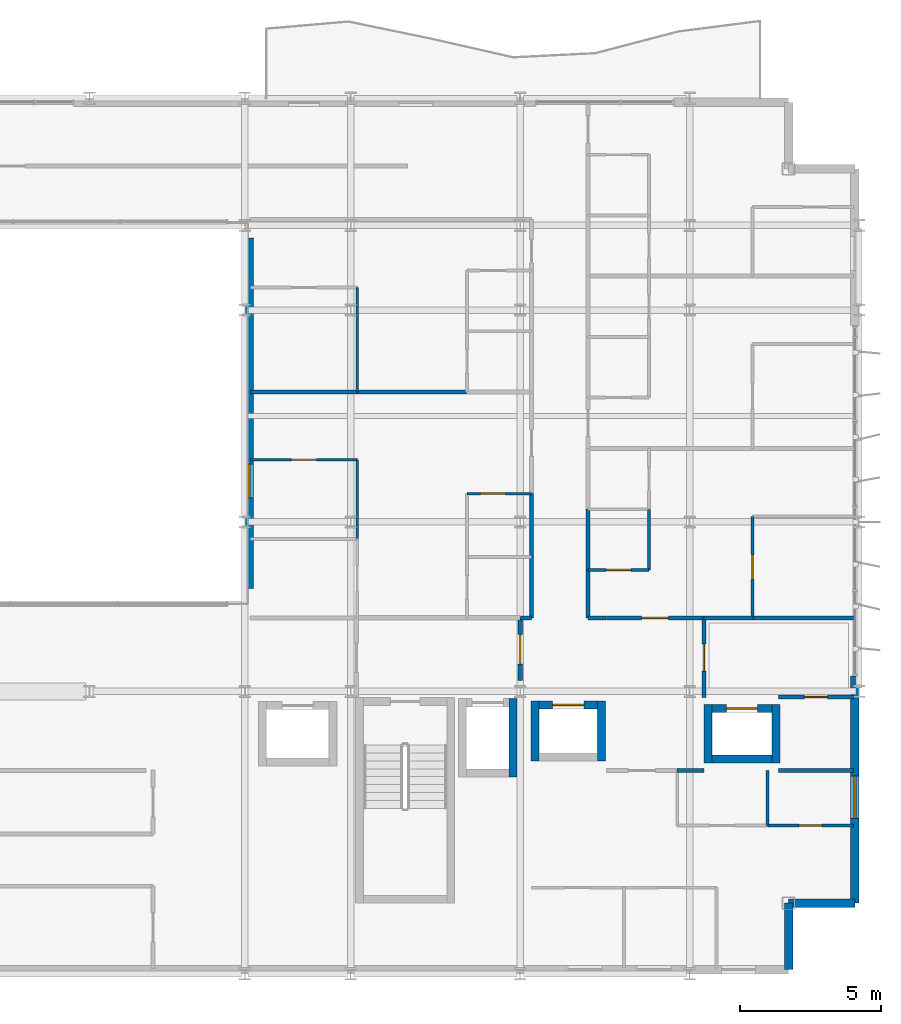
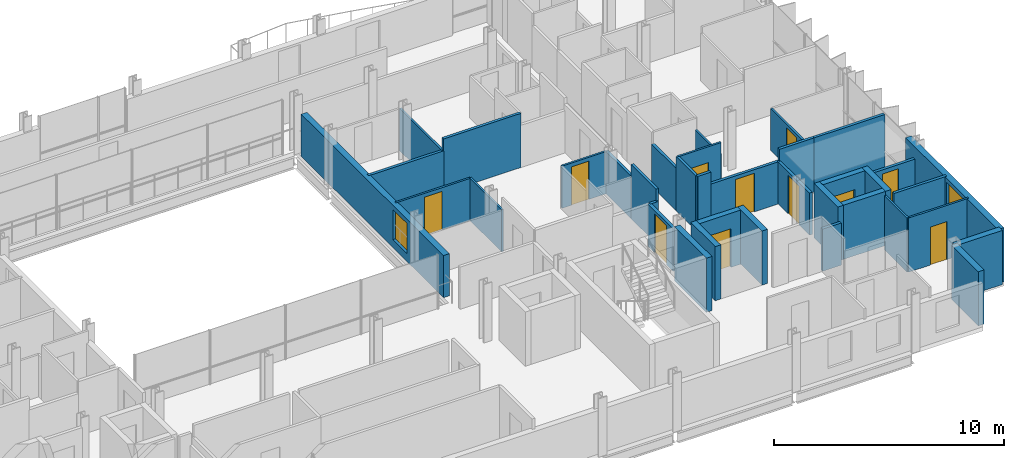
# One storey, part 31 of 38: 37 walls, 11 doors, 2 windows, 13 openings.
"""IFC4 building model written with IfcOpenShell, lengths in metres."""

from ifc_helpers import new_model, si_unit, direction, frame, frame_2d, origin, place, context, subcontext, project, spatial, rectangle, extrude, material, layer, layer_set, type_object, element, fill, save


model = new_model("IFC4")

# Units and contexts
model_context = context("Model", 3, precision=1e-05, world=origin(), true_north=direction((0.0, 1.0)))
body_context = subcontext(model_context, "Body", "Model", "MODEL_VIEW")
ifc_project = project(units=[si_unit("LENGTHUNIT", "METRE"), si_unit("AREAUNIT", "SQUARE_METRE"), si_unit("VOLUMEUNIT", "CUBIC_METRE"), si_unit("PLANEANGLEUNIT", "RADIAN"), si_unit("MASSUNIT", "GRAM", prefix="KILO")], contexts=[model_context])

# Site, building, storey
site_placement = place(None, origin())
site = spatial("IfcSite", under=ifc_project, at=site_placement, CompositionType="ELEMENT")
building_placement = place(site_placement, origin())
building = spatial("IfcBuilding", under=site, at=building_placement, Name="Brevholm Reach", CompositionType="ELEMENT")
storey_placement = place(building_placement, frame((0.0, 0.0, 122.10009765625)))
storey = spatial("IfcBuildingStorey", under=building, at=storey_placement, Name="L36", CompositionType="ELEMENT", Elevation=122.10009765625)

# Walls
ifc_material_1 = material(Name="Concrete C50/60", Category="concrete")
ifc_layer_1 = layer(ifc_material_1, 0.280029296875)
ifc_layer_set_1 = layer_set([ifc_layer_1], Name="Concrete C50/60")
wall_type_1 = type_object("IfcWallType", Name="WAL-COR-280", PredefinedType="SHEAR", material=ifc_layer_set_1)
wall_1_placement = place(storey_placement, frame((47.75, 6.9599609375, 0.0), z_axis=(0.0, 0.0, 1.0), x_axis=(0.0, 1.0, 0.0)))
element("IfcWall", 1, at=wall_1_placement, inside=storey, type_object=wall_type_1, Name="L36 Lift FFL-2 Shaft Wall E", PredefinedType="SHEAR", context=body_context, shape_type="SweptSolid", body=[
    extrude(rectangle(XDim=2.780029296875, YDim=0.280029296875, at=frame_2d((1.39013671875, 0.0))), origin(), (0.0, 0.0, 1.0), 2.8798828125),
])
for number, where, z_axis, x_axis, name in (
    (2, (48.52490234375, 7.534912109375, 0.0), (0.0, 0.0, 1.0), (0.0, 1.0, 0.0), "L36 Lift PL-L1 Shaft Wall W"),
    (3, (50.875, 7.534912109375, 0.0), (0.0, 0.0, 1.0), (0.0, 1.0, 0.0), "L36 Lift PL-L1 Shaft Wall E"),
):
    element("IfcWall", number, at=place(storey_placement, frame(where, z_axis=z_axis, x_axis=x_axis)), inside=storey, type_object=wall_type_1, Name=name, PredefinedType="SHEAR", context=body_context, shape_type="SweptSolid", body=[
        extrude(rectangle(XDim=2.130126953125, YDim=0.280029296875, at=frame_2d((1.06494140625, 0.0))), origin(), (0.0, 0.0, 1.0), 2.8798828125),
    ])

# Wall, opening, door
wall_2_placement = place(storey_placement, frame((48.6650390625, 9.52490234375, 0.0), z_axis=(0.0, 0.0, 1.0), x_axis=(1.0, 0.0, 0.0)))
wall_2 = element("IfcWall", 4, at=wall_2_placement, inside=storey, type_object=wall_type_1, Name="L36 Lift PL-L1 Shaft Wall N", PredefinedType="SHEAR", context=body_context, shape_type="SweptSolid", body=[
    extrude(rectangle(XDim=2.070068359375, YDim=0.280029296875, at=frame_2d((1.03515625, 0.0))), origin(), (0.0, 0.0, 1.0), 2.8798828125),
])
opening_1_placement = place(wall_2_placement, frame((0.485107421875, 0.0, 0.0)))
opening_1 = element("IfcOpeningElement", 5, at=opening_1_placement, cuts=wall_2, Name="Opening LD-PL-L1", PredefinedType="OPENING", context=body_context, shape_type="SweptSolid", body=[
    extrude(rectangle(XDim=1.10009765625, YDim=2.06005859375, at=frame_2d((0.550048828125, 1.030029296875))), frame((0.0, 0.14990234375, 0.0), z_axis=(0.0, -1.0, 0.0), x_axis=(1.0, 0.0, 0.0)), (0.0, 0.0, 1.0), 0.300048828125),
])
ifc_material_2 = material(Name="Brushed Stainless Steel Fire-Rated Sliding Lift Door", Category="steel")
door_type_1 = type_object("IfcDoorType", Name="DOR-LFT-1100", OperationType="NOTDEFINED", PredefinedType="DOOR", material=ifc_material_2)
door_1_placement = place(opening_1_placement, origin())
door_1 = element("IfcDoor", 6, at=door_1_placement, inside=storey, type_object=door_type_1, Name="L36 Lift PL-L1 Sliding Landing Door", OperationType="SLIDING_TO_RIGHT", OverallHeight=2.06005859375, OverallWidth=1.10009765625, PredefinedType="DOOR", context=body_context, shape_type="SweptSolid", body=[
    extrude(rectangle(XDim=1.10009765625, YDim=2.06005859375, at=frame_2d((0.550048828125, 1.030029296875))), frame((0.0, 0.02490234375, 0.0), z_axis=(0.0, -1.0, 0.0), x_axis=(1.0, 0.0, 0.0)), (0.0, 0.0, 1.0), 0.050048828125),
])
fill(opening_1, door_1)

# Walls
for number, where, z_axis, x_axis, name in (
    (7, (54.64990234375, 7.4599609375, 0.0), (0.0, 0.0, 1.0), (0.0, 1.0, 0.0), "L36 Lift PL-L2 Shaft Wall W"),
    (8, (57.050048828125, 7.4599609375, 0.0), (0.0, 0.0, 1.0), (0.0, 1.0, 0.0), "L36 Lift PL-L2 Shaft Wall E"),
):
    element("IfcWall", number, at=place(storey_placement, frame(where, z_axis=z_axis, x_axis=x_axis)), inside=storey, type_object=wall_type_1, Name=name, PredefinedType="SHEAR", context=body_context, shape_type="SweptSolid", body=[
        extrude(rectangle(XDim=2.080078125, YDim=0.280029296875, at=frame_2d((1.0400390625, 0.0))), origin(), (0.0, 0.0, 1.0), 2.8798828125),
    ])
wall_3_placement = place(storey_placement, frame((54.7900390625, 7.60009765625, 0.0), z_axis=(0.0, 0.0, 1.0), x_axis=(1.0, 0.0, 0.0)))
element("IfcWall", 9, at=wall_3_placement, inside=storey, type_object=wall_type_1, Name="L36 Lift PL-L2 Shaft Wall S", PredefinedType="SHEAR", context=body_context, shape_type="SweptSolid", body=[
    extrude(rectangle(XDim=2.119873046875, YDim=0.280029296875, at=frame_2d((1.06005859375, 0.0))), origin(), (0.0, 0.0, 1.0), 2.8798828125),
])

# Wall, opening, door
wall_4_placement = place(storey_placement, frame((54.7900390625, 9.39990234375, 0.0), z_axis=(0.0, 0.0, 1.0), x_axis=(1.0, 0.0, 0.0)))
wall_4 = element("IfcWall", 10, at=wall_4_placement, inside=storey, type_object=wall_type_1, Name="L36 Lift PL-L2 Shaft Wall N", PredefinedType="SHEAR", context=body_context, shape_type="SweptSolid", body=[
    extrude(rectangle(XDim=2.119873046875, YDim=0.280029296875, at=frame_2d((1.06005859375, 0.0))), origin(), (0.0, 0.0, 1.0), 2.8798828125),
])
opening_2_placement = place(wall_4_placement, frame((0.510009765625, 0.0, 0.0)))
opening_2 = element("IfcOpeningElement", 11, at=opening_2_placement, cuts=wall_4, Name="Opening LD-PL-L2", PredefinedType="OPENING", context=body_context, shape_type="SweptSolid", body=[
    extrude(rectangle(XDim=1.10009765625, YDim=2.06005859375, at=frame_2d((0.550048828125, 1.030029296875))), frame((0.0, 0.14990234375, 0.0), z_axis=(0.0, -1.0, 0.0), x_axis=(1.0, 0.0, 0.0)), (0.0, 0.0, 1.0), 0.300048828125),
])
door_2_placement = place(opening_2_placement, origin())
door_2 = element("IfcDoor", 12, at=door_2_placement, inside=storey, type_object=door_type_1, Name="L36 Lift PL-L2 Sliding Landing Door", OperationType="SLIDING_TO_LEFT", OverallHeight=2.06005859375, OverallWidth=1.10009765625, PredefinedType="DOOR", context=body_context, shape_type="SweptSolid", body=[
    extrude(rectangle(XDim=1.10009765625, YDim=2.06005859375, at=frame_2d((0.550048828125, 1.030029296875))), frame((0.0, 0.02490234375, 0.0), z_axis=(0.0, -1.0, 0.0), x_axis=(1.0, 0.0, 0.0)), (0.0, 0.0, 1.0), 0.050048828125),
])
fill(opening_2, door_2)

# Walls
ifc_material_3 = material(Name="Concrete C40/50", Category="concrete")
ifc_layer_2 = layer(ifc_material_3, 0.300048828125)
ifc_layer_set_2 = layer_set([ifc_layer_2], Name="Concrete C40/50")
wall_type_2 = type_object("IfcWallType", Name="WAL-EXT-300", PredefinedType="STANDARD", material=ifc_layer_set_2)
for number, where, z_axis, x_axis, name in (
    (13, (57.5, 0.14990234375, 0.0), (0.0, 0.0, 1.0), (0.0, 1.0, 0.0), "L36 Facade Wall WAL-L36-CSE1"),
    (14, (57.5, 2.5, 0.0), (0.0, 0.0, 1.0), (1.0, 0.0, 0.0), "L36 Facade Wall WAL-L36-CSE2"),
):
    element("IfcWall", number, at=place(storey_placement, frame(where, z_axis=z_axis, x_axis=x_axis)), inside=storey, type_object=wall_type_2, Name=name, PredefinedType="STANDARD", context=body_context, shape_type="SweptSolid", body=[
        extrude(rectangle(XDim=2.35009765625, YDim=0.300048828125, at=frame_2d((1.175048828125, 0.0))), origin(), (0.0, 0.0, 1.0), 2.8798828125),
    ])

# Wall, opening, window
wall_5_placement = place(storey_placement, frame((59.85009765625, 2.5, 0.0), z_axis=(0.0, 0.0, 1.0), x_axis=(0.0, 1.0, 0.0)))
wall_5 = element("IfcWall", 15, at=wall_5_placement, inside=storey, type_object=wall_type_2, Name="L36 Facade Wall WAL-L36-E-S", PredefinedType="STANDARD", context=body_context, shape_type="SweptSolid", body=[
    extrude(rectangle(XDim=8.050048828125, YDim=0.300048828125, at=frame_2d((4.02490234375, 0.0))), origin(), (0.0, 0.0, 1.0), 2.8798828125),
])
opening_3_placement = place(wall_5_placement, frame((3.0, 0.0, 0.860107421875)))
opening_3 = element("IfcOpeningElement", 16, at=opening_3_placement, cuts=wall_5, Name="Opening WN-05", PredefinedType="OPENING", context=body_context, shape_type="SweptSolid", body=[
    extrude(rectangle(XDim=1.5, YDim=1.800048828125, at=frame_2d((0.75, 0.89990234375))), frame((0.0, 0.159912109375, 0.0), z_axis=(0.0, -1.0, 0.0), x_axis=(1.0, 0.0, 0.0)), (0.0, 0.0, 1.0), 0.320068359375),
])
ifc_material_4 = material(Name="Dark Anodised Aluminium and Solar-Control IGU Glass", Category="aluminium")
window_type_1 = type_object("IfcWindowType", Name="WIN-RES-1500", PartitioningType="SINGLE_PANEL", PredefinedType="WINDOW", material=ifc_material_4)
window_1_placement = place(opening_3_placement, origin())
window_1 = element("IfcWindow", 17, at=window_1_placement, inside=storey, type_object=window_type_1, Name="L36 Window WIN-L36-ES-1", OverallHeight=1.800048828125, OverallWidth=1.5, PartitioningType="SINGLE_PANEL", PredefinedType="WINDOW", context=body_context, shape_type="SweptSolid", body=[
    extrude(rectangle(XDim=1.5, YDim=1.800048828125, at=frame_2d((0.75, 0.89990234375))), frame((0.0, 0.030029296875, 0.0), z_axis=(0.0, -1.0, 0.0), x_axis=(1.0, 0.0, 0.0)), (0.0, 0.0, 1.0), 0.06005859375),
])
fill(opening_3, window_1)

wall_6_placement = place(storey_placement, frame((38.39990234375, 13.64990234375, 0.0), z_axis=(0.0, 0.0, 1.0), x_axis=(0.0, 1.0, 0.0)))
wall_6 = element("IfcWall", 18, at=wall_6_placement, inside=storey, type_object=wall_type_2, Name="L36 Facade Wall WAL-L36-AT-E", PredefinedType="STANDARD", context=body_context, shape_type="SweptSolid", body=[
    extrude(rectangle(XDim=12.400146484375, YDim=0.300048828125, at=frame_2d((6.2001953125, 0.0))), origin(), (0.0, 0.0, 1.0), 2.24267578125),
])
opening_4_placement = place(wall_6_placement, frame((3.199951171875, 0.0, 0.423095703125)))
opening_4 = element("IfcOpeningElement", 19, at=opening_4_placement, cuts=wall_6, Name="Opening WN-08", PredefinedType="OPENING", context=body_context, shape_type="SweptSolid", body=[
    extrude(rectangle(XDim=1.199951171875, YDim=1.60009765625, at=frame_2d((0.60009765625, 0.800048828125))), frame((0.0, 0.159912109375, 0.0), z_axis=(0.0, -1.0, 0.0), x_axis=(1.0, 0.0, 0.0)), (0.0, 0.0, 1.0), 0.320068359375),
])
ifc_material_5 = material(Name="Dark Anodised Aluminium and Solar-Control IGU Glass", Category="aluminium")
window_type_2 = type_object("IfcWindowType", Name="WIN-RES-1200", PartitioningType="SINGLE_PANEL", PredefinedType="WINDOW", material=ifc_material_5)
window_2_placement = place(opening_4_placement, origin())
window_2 = element("IfcWindow", 20, at=window_2_placement, inside=storey, type_object=window_type_2, Name="L36 Window WIN-L36-AT-E1", OverallHeight=1.60009765625, OverallWidth=1.199951171875, PartitioningType="SINGLE_PANEL", PredefinedType="WINDOW", context=body_context, shape_type="SweptSolid", body=[
    extrude(rectangle(XDim=1.199951171875, YDim=1.60009765625, at=frame_2d((0.60009765625, 0.800048828125))), frame((0.0, 0.030029296875, 0.0), z_axis=(0.0, -1.0, 0.0), x_axis=(1.0, 0.0, 0.0)), (0.0, 0.0, 1.0), 0.06005859375),
])
fill(opening_4, window_2)

# Wall
ifc_material_6 = material(Name="Moisture-Resistant Acoustic Gypsum Stud Partition 100 mm", Category="gypsum")
ifc_layer_3 = layer(ifc_material_6, 0.10009765625)
ifc_layer_set_3 = layer_set([ifc_layer_3], Name="Moisture-Resistant Acoustic Gypsum Stud Partition 100 mm")
wall_type_3 = type_object("IfcWallType", Name="WAL-PRT-100", PredefinedType="PARTITIONING", material=ifc_layer_set_3)
wall_7_placement = place(storey_placement, frame((56.75, 5.25, 0.0), z_axis=(0.0, 0.0, 1.0), x_axis=(0.0, 1.0, 0.0)))
element("IfcWall", 21, at=wall_7_placement, inside=storey, type_object=wall_type_3, Name="L36 Internal Partition 080", PredefinedType="PARTITIONING", context=body_context, shape_type="SweptSolid", body=[
    extrude(rectangle(XDim=1.949951171875, YDim=0.10009765625, at=frame_2d((0.97509765625, 0.0))), origin(), (0.0, 0.0, 1.0), 2.8798828125),
])

# Wall, opening, door
wall_8_placement = place(storey_placement, frame((56.75, 5.25, 0.0), z_axis=(0.0, 0.0, 1.0), x_axis=(1.0, 0.0, 0.0)))
wall_8 = element("IfcWall", 22, at=wall_8_placement, inside=storey, type_object=wall_type_3, Name="L36 Internal Partition 081", PredefinedType="PARTITIONING", context=body_context, shape_type="SweptSolid", body=[
    extrude(rectangle(XDim=3.050048828125, YDim=0.10009765625, at=frame_2d((1.52490234375, 0.0))), origin(), (0.0, 0.0, 1.0), 2.8798828125),
])
opening_5_placement = place(wall_8_placement, frame((1.114990234375, 0.0, 0.0)))
opening_5 = element("IfcOpeningElement", 23, at=opening_5_placement, cuts=wall_8, Name="Opening ID-03", PredefinedType="OPENING", context=body_context, shape_type="SweptSolid", body=[
    extrude(rectangle(XDim=0.820068359375, YDim=2.02001953125, at=frame_2d((0.41015625, 1.010009765625))), frame((0.0, 0.06005859375, 0.0), z_axis=(0.0, -1.0, 0.0), x_axis=(1.0, 0.0, 0.0)), (0.0, 0.0, 1.0), 0.1201171875),
])
ifc_material_7 = material(Name="Moisture-Resistant Painted Timber Internal Bathroom Door", Category="wood")
door_type_2 = type_object("IfcDoorType", Name="DOR-BATH-820", OperationType="NOTDEFINED", PredefinedType="DOOR", material=ifc_material_7)
door_3_placement = place(opening_5_placement, origin())
door_3 = element("IfcDoor", 24, at=door_3_placement, inside=storey, type_object=door_type_2, Name="L36 Internal Door 029", OperationType="SINGLE_SWING_LEFT", OverallHeight=2.02001953125, OverallWidth=0.820068359375, PredefinedType="DOOR", context=body_context, shape_type="SweptSolid", body=[
    extrude(rectangle(XDim=0.820068359375, YDim=2.02001953125, at=frame_2d((0.41015625, 1.010009765625))), frame((0.0, 0.02490234375, 0.0), z_axis=(0.0, -1.0, 0.0), x_axis=(1.0, 0.0, 0.0)), (0.0, 0.0, 1.0), 0.050048828125),
])
fill(opening_5, door_3)

wall_9_placement = place(storey_placement, frame((46.112060546875, 17.0, 0.0), z_axis=(0.0, 0.0, 1.0), x_axis=(1.0, 0.0, 0.0)))
wall_9 = element("IfcWall", 25, at=wall_9_placement, inside=storey, type_object=wall_type_3, Name="L36 Internal Partition 122", PredefinedType="PARTITIONING", context=body_context, shape_type="SweptSolid", body=[
    extrude(rectangle(XDim=2.283935546875, YDim=0.10009765625, at=frame_2d((1.14208984375, 0.0))), origin(), (0.0, 0.0, 1.0), 2.24267578125),
])
opening_6_placement = place(wall_9_placement, frame((0.48193359375, 0.0, 0.0)))
opening_6 = element("IfcOpeningElement", 26, at=opening_6_placement, cuts=wall_9, Name="Opening ID-01", PredefinedType="OPENING", context=body_context, shape_type="SweptSolid", body=[
    extrude(rectangle(XDim=0.8798828125, YDim=2.0400390625, at=frame_2d((0.43994140625, 1.02001953125))), frame((0.0, 0.06005859375, 0.0), z_axis=(0.0, -1.0, 0.0), x_axis=(1.0, 0.0, 0.0)), (0.0, 0.0, 1.0), 0.1201171875),
])
ifc_material_8 = material(Name="Lacquered Ash Solid-Core Acoustic Internal Door", Category="timber")
door_type_3 = type_object("IfcDoorType", Name="DOR-INT-880", OperationType="NOTDEFINED", PredefinedType="DOOR", material=ifc_material_8)
door_4_placement = place(opening_6_placement, origin())
door_4 = element("IfcDoor", 27, at=door_4_placement, inside=storey, type_object=door_type_3, Name="L36 Internal Door 047", OperationType="SINGLE_SWING_LEFT", OverallHeight=2.0400390625, OverallWidth=0.8798828125, PredefinedType="DOOR", context=body_context, shape_type="SweptSolid", body=[
    extrude(rectangle(XDim=0.8798828125, YDim=2.0400390625, at=frame_2d((0.43994140625, 1.02001953125))), frame((0.0, 0.02490234375, 0.0), z_axis=(0.0, -1.0, 0.0), x_axis=(1.0, 0.0, 0.0)), (0.0, 0.0, 1.0), 0.050048828125),
])
fill(opening_6, door_4)

# Wall
wall_10_placement = place(storey_placement, frame((42.23095703125, 15.404052734375, 0.0), z_axis=(0.0, 0.0, 1.0), x_axis=(0.0, 1.0, 0.0)))
element("IfcWall", 28, at=wall_10_placement, inside=storey, type_object=wall_type_3, Name="L36 Internal Partition 126", PredefinedType="PARTITIONING", context=body_context, shape_type="SweptSolid", body=[
    extrude(rectangle(XDim=2.7958984375, YDim=0.10009765625, at=frame_2d((1.39794921875, 0.0))), origin(), (0.0, 0.0, 1.0), 2.24267578125),
])

# Wall, opening, door
wall_11_placement = place(storey_placement, frame((38.449951171875, 18.199951171875, 0.0), z_axis=(0.0, 0.0, 1.0), x_axis=(1.0, 0.0, 0.0)))
wall_11 = element("IfcWall", 29, at=wall_11_placement, inside=storey, type_object=wall_type_3, Name="L36 Internal Partition 127", PredefinedType="PARTITIONING", context=body_context, shape_type="SweptSolid", body=[
    extrude(rectangle(XDim=3.781005859375, YDim=0.10009765625, at=frame_2d((1.890625, 0.0))), origin(), (0.0, 0.0, 1.0), 2.24267578125),
])
opening_7_placement = place(wall_11_placement, frame((1.450439453125, 0.0, 0.0)))
opening_7 = element("IfcOpeningElement", 30, at=opening_7_placement, cuts=wall_11, Name="Opening ID-01", PredefinedType="OPENING", context=body_context, shape_type="SweptSolid", body=[
    extrude(rectangle(XDim=0.8798828125, YDim=2.0400390625, at=frame_2d((0.43994140625, 1.02001953125))), frame((0.0, 0.06005859375, 0.0), z_axis=(0.0, -1.0, 0.0), x_axis=(1.0, 0.0, 0.0)), (0.0, 0.0, 1.0), 0.1201171875),
])
door_5_placement = place(opening_7_placement, origin())
door_5 = element("IfcDoor", 31, at=door_5_placement, inside=storey, type_object=door_type_3, Name="L36 Internal Door 049", OperationType="SINGLE_SWING_LEFT", OverallHeight=2.0400390625, OverallWidth=0.8798828125, PredefinedType="DOOR", context=body_context, shape_type="SweptSolid", body=[
    extrude(rectangle(XDim=0.8798828125, YDim=2.0400390625, at=frame_2d((0.43994140625, 1.02001953125))), frame((0.0, 0.02490234375, 0.0), z_axis=(0.0, -1.0, 0.0), x_axis=(1.0, 0.0, 0.0)), (0.0, 0.0, 1.0), 0.050048828125),
])
fill(opening_7, door_5)

# Wall
wall_12_placement = place(storey_placement, frame((42.23095703125, 20.60400390625, 0.0), z_axis=(0.0, 0.0, 1.0), x_axis=(0.0, 1.0, 0.0)))
element("IfcWall", 32, at=wall_12_placement, inside=storey, type_object=wall_type_3, Name="L36 Internal Partition 135", PredefinedType="PARTITIONING", context=body_context, shape_type="SweptSolid", body=[
    extrude(rectangle(XDim=3.696044921875, YDim=0.10009765625, at=frame_2d((1.84814453125, 0.0))), origin(), (0.0, 0.0, 1.0), 2.24267578125),
])

# Wall, opening, door
wall_13_placement = place(storey_placement, frame((50.404052734375, 14.300048828125, 0.0), z_axis=(0.0, 0.0, 1.0), x_axis=(1.0, 0.0, 0.0)))
wall_13 = element("IfcWall", 33, at=wall_13_placement, inside=storey, type_object=wall_type_3, Name="L36 Internal Partition 140", PredefinedType="PARTITIONING", context=body_context, shape_type="SweptSolid", body=[
    extrude(rectangle(XDim=2.157958984375, YDim=0.10009765625, at=frame_2d((1.0791015625, 0.0))), origin(), (0.0, 0.0, 1.0), 2.8798828125),
])
opening_8_placement = place(wall_13_placement, frame((0.638916015625, 0.0, 0.0)))
opening_8 = element("IfcOpeningElement", 34, at=opening_8_placement, cuts=wall_13, Name="Opening ID-01", PredefinedType="OPENING", context=body_context, shape_type="SweptSolid", body=[
    extrude(rectangle(XDim=0.8798828125, YDim=2.0400390625, at=frame_2d((0.43994140625, 1.02001953125))), frame((0.0, 0.06005859375, 0.0), z_axis=(0.0, -1.0, 0.0), x_axis=(1.0, 0.0, 0.0)), (0.0, 0.0, 1.0), 0.1201171875),
])
door_6_placement = place(opening_8_placement, origin())
door_6 = element("IfcDoor", 35, at=door_6_placement, inside=storey, type_object=door_type_3, Name="L36 Internal Door 054", OperationType="SINGLE_SWING_RIGHT", OverallHeight=2.0400390625, OverallWidth=0.8798828125, PredefinedType="DOOR", context=body_context, shape_type="SweptSolid", body=[
    extrude(rectangle(XDim=0.8798828125, YDim=2.0400390625, at=frame_2d((0.43994140625, 1.02001953125))), frame((0.0, 0.02490234375, 0.0), z_axis=(0.0, -1.0, 0.0), x_axis=(1.0, 0.0, 0.0)), (0.0, 0.0, 1.0), 0.050048828125),
])
fill(opening_8, door_6)

# Wall
wall_14_placement = place(storey_placement, frame((52.56201171875, 14.300048828125, 0.0), z_axis=(0.0, 0.0, 1.0), x_axis=(0.0, 1.0, 0.0)))
element("IfcWall", 36, at=wall_14_placement, inside=storey, type_object=wall_type_3, Name="L36 Internal Partition 141", PredefinedType="PARTITIONING", context=body_context, shape_type="SweptSolid", body=[
    extrude(rectangle(XDim=2.14599609375, YDim=0.10009765625, at=frame_2d((1.072998046875, 0.0))), origin(), (0.0, 0.0, 1.0), 2.24267578125),
])

# Wall, opening, door
wall_15_placement = place(storey_placement, frame((56.22802734375, 12.60400390625, 0.0), z_axis=(0.0, 0.0, 1.0), x_axis=(0.0, 1.0, 0.0)))
wall_15 = element("IfcWall", 37, at=wall_15_placement, inside=storey, type_object=wall_type_3, Name="L36 Internal Partition 143", PredefinedType="PARTITIONING", context=body_context, shape_type="SweptSolid", body=[
    extrude(rectangle(XDim=3.595947265625, YDim=0.10009765625, at=frame_2d((1.7978515625, 0.0))), origin(), (0.0, 0.0, 1.0), 2.24267578125),
])
opening_9_placement = place(wall_15_placement, frame((1.35791015625, 0.0, 0.0)))
opening_9 = element("IfcOpeningElement", 38, at=opening_9_placement, cuts=wall_15, Name="Opening ID-01", PredefinedType="OPENING", context=body_context, shape_type="SweptSolid", body=[
    extrude(rectangle(XDim=0.8798828125, YDim=2.0400390625, at=frame_2d((0.43994140625, 1.02001953125))), frame((0.0, 0.06005859375, 0.0), z_axis=(0.0, -1.0, 0.0), x_axis=(1.0, 0.0, 0.0)), (0.0, 0.0, 1.0), 0.1201171875),
])
door_7_placement = place(opening_9_placement, origin())
door_7 = element("IfcDoor", 39, at=door_7_placement, inside=storey, type_object=door_type_3, Name="L36 Internal Door 055", OperationType="SINGLE_SWING_LEFT", OverallHeight=2.0400390625, OverallWidth=0.8798828125, PredefinedType="DOOR", context=body_context, shape_type="SweptSolid", body=[
    extrude(rectangle(XDim=0.8798828125, YDim=2.0400390625, at=frame_2d((0.43994140625, 1.02001953125))), frame((0.0, 0.02490234375, 0.0), z_axis=(0.0, -1.0, 0.0), x_axis=(1.0, 0.0, 0.0)), (0.0, 0.0, 1.0), 0.050048828125),
])
fill(opening_9, door_7)

ifc_material_9 = material(Name="Twin-Stud Acoustic Fire-Rated Gypsum Partition 140 mm", Category="gypsum")
ifc_layer_4 = layer(ifc_material_9, 0.139892578125)
ifc_layer_set_4 = layer_set([ifc_layer_4], Name="Twin-Stud Acoustic Fire-Rated Gypsum Partition 140 mm")
wall_type_4 = type_object("IfcWallType", Name="WAL-PRT-140", PredefinedType="PARTITIONING", material=ifc_layer_set_4)
wall_16_placement = place(storey_placement, frame((54.5, 9.788818359375, 0.0), z_axis=(0.0, 0.0, 1.0), x_axis=(0.0, 1.0, 0.0)))
wall_16 = element("IfcWall", 40, at=wall_16_placement, inside=storey, type_object=wall_type_4, Name="L36 Internal Partition 013", PredefinedType="PARTITIONING", context=body_context, shape_type="SweptSolid", body=[
    extrude(rectangle(XDim=2.811279296875, YDim=0.139892578125, at=frame_2d((1.40576171875, 0.0))), origin(), (0.0, 0.0, 1.0), 2.24267578125),
])
opening_10_placement = place(wall_16_placement, frame((0.9306640625, 0.0, 0.0)))
opening_10 = element("IfcOpeningElement", 41, at=opening_10_placement, cuts=wall_16, Name="Opening ID-30", PredefinedType="OPENING", context=body_context, shape_type="SweptSolid", body=[
    extrude(rectangle(XDim=0.949951171875, YDim=2.050048828125, at=frame_2d((0.47509765625, 1.02490234375))), frame((0.0, 0.079833984375, 0.0), z_axis=(0.0, -1.0, 0.0), x_axis=(1.0, 0.0, 0.0)), (0.0, 0.0, 1.0), 0.159912109375),
])
ifc_material_10 = material(Name="European Oak Veneered Solid-Core Fire Entrance Door", Category="timber")
door_type_4 = type_object("IfcDoorType", Name="DOR-FLT-FD30S", OperationType="NOTDEFINED", PredefinedType="DOOR", material=ifc_material_10)
door_8_placement = place(opening_10_placement, origin())
door_8 = element("IfcDoor", 42, at=door_8_placement, inside=storey, type_object=door_type_4, Name="L36 Internal Door 008", OperationType="SINGLE_SWING_RIGHT", OverallHeight=2.050048828125, OverallWidth=0.949951171875, PredefinedType="DOOR", context=body_context, shape_type="SweptSolid", body=[
    extrude(rectangle(XDim=0.949951171875, YDim=2.050048828125, at=frame_2d((0.47509765625, 1.02490234375))), frame((0.0, 0.02490234375, 0.0), z_axis=(0.0, -1.0, 0.0), x_axis=(1.0, 0.0, 0.0)), (0.0, 0.0, 1.0), 0.050048828125),
])
fill(opening_10, door_8)

# Wall
wall_17_placement = place(storey_placement, frame((53.546630859375, 7.199951171875, 0.0), z_axis=(0.0, 0.0, 1.0), x_axis=(1.0, 0.0, 0.0)))
element("IfcWall", 43, at=wall_17_placement, inside=storey, type_object=wall_type_4, Name="L36 Internal Partition 014", PredefinedType="PARTITIONING", context=body_context, shape_type="SweptSolid", body=[
    extrude(rectangle(XDim=0.953369140625, YDim=0.139892578125, at=frame_2d((0.4765625, 0.0))), origin(), (0.0, 0.0, 1.0), 2.24267578125),
])

# Wall, opening, door
wall_18_placement = place(storey_placement, frame((51.050048828125, 12.60009765625, 0.0), z_axis=(0.0, 0.0, 1.0), x_axis=(1.0, 0.0, 0.0)))
wall_18 = element("IfcWall", 44, at=wall_18_placement, inside=storey, type_object=wall_type_4, Name="L36 Internal Partition 016", PredefinedType="PARTITIONING", context=body_context, shape_type="SweptSolid", body=[
    extrude(rectangle(XDim=3.449951171875, YDim=0.139892578125, at=frame_2d((1.72509765625, 0.0))), origin(), (0.0, 0.0, 1.0), 2.24267578125),
])
opening_11_placement = place(wall_18_placement, frame((1.25, 0.0, 0.0)))
opening_11 = element("IfcOpeningElement", 45, at=opening_11_placement, cuts=wall_18, Name="Opening ID-30", PredefinedType="OPENING", context=body_context, shape_type="SweptSolid", body=[
    extrude(rectangle(XDim=0.949951171875, YDim=2.050048828125, at=frame_2d((0.47509765625, 1.02490234375))), frame((0.0, 0.079833984375, 0.0), z_axis=(0.0, -1.0, 0.0), x_axis=(1.0, 0.0, 0.0)), (0.0, 0.0, 1.0), 0.159912109375),
])
door_9_placement = place(opening_11_placement, origin())
door_9 = element("IfcDoor", 46, at=door_9_placement, inside=storey, type_object=door_type_4, Name="L36 Internal Door 010", OperationType="SINGLE_SWING_RIGHT", OverallHeight=2.050048828125, OverallWidth=0.949951171875, PredefinedType="DOOR", context=body_context, shape_type="SweptSolid", body=[
    extrude(rectangle(XDim=0.949951171875, YDim=2.050048828125, at=frame_2d((0.47509765625, 1.02490234375))), frame((0.0, 0.02490234375, 0.0), z_axis=(0.0, -1.0, 0.0), x_axis=(1.0, 0.0, 0.0)), (0.0, 0.0, 1.0), 0.050048828125),
])
fill(opening_11, door_9)

# Walls
wall_19_placement = place(storey_placement, frame((48.00390625, 12.60009765625, 0.0), z_axis=(0.0, 0.0, 1.0), x_axis=(1.0, 0.0, 0.0)))
element("IfcWall", 47, at=wall_19_placement, inside=storey, type_object=wall_type_4, Name="L36 Internal Partition 034", PredefinedType="PARTITIONING", context=body_context, shape_type="SweptSolid", body=[
    extrude(rectangle(XDim=0.4033203125, YDim=0.139892578125, at=frame_2d((0.20166015625, 0.0))), origin(), (0.0, 0.0, 1.0), 2.24267578125),
])
wall_20_placement = place(storey_placement, frame((50.392578125, 12.60009765625, 0.0), z_axis=(0.0, 0.0, 1.0), x_axis=(1.0, 0.0, 0.0)))
element("IfcWall", 48, at=wall_20_placement, inside=storey, type_object=wall_type_4, Name="L36 Internal Partition 035", PredefinedType="PARTITIONING", context=body_context, shape_type="SweptSolid", body=[
    extrude(rectangle(XDim=0.6533203125, YDim=0.139892578125, at=frame_2d((0.32666015625, 0.0))), origin(), (0.0, 0.0, 1.0), 2.8798828125),
])
wall_21_placement = place(storey_placement, frame((48.39990234375, 12.60400390625, 0.0), z_axis=(0.0, 0.0, 1.0), x_axis=(0.0, 1.0, 0.0)))
element("IfcWall", 49, at=wall_21_placement, inside=storey, type_object=wall_type_4, Name="L36 Internal Partition 046", PredefinedType="PARTITIONING", context=body_context, shape_type="SweptSolid", body=[
    extrude(rectangle(XDim=2.167236328125, YDim=0.139892578125, at=frame_2d((1.08349609375, 0.0))), origin(), (0.0, 0.0, 1.0), 2.8798828125),
])
wall_22_placement = place(storey_placement, frame((48.39990234375, 14.752685546875, 0.0), z_axis=(0.0, 0.0, 1.0), x_axis=(0.0, 1.0, 0.0)))
element("IfcWall", 50, at=wall_22_placement, inside=storey, type_object=wall_type_4, Name="L36 Internal Partition 047", PredefinedType="PARTITIONING", context=body_context, shape_type="SweptSolid", body=[
    extrude(rectangle(XDim=2.258544921875, YDim=0.139892578125, at=frame_2d((1.12939453125, 0.0))), origin(), (0.0, 0.0, 1.0), 2.24267578125),
])
wall_23_placement = place(storey_placement, frame((50.39990234375, 14.288818359375, 0.0), z_axis=(0.0, 0.0, 1.0), x_axis=(0.0, 1.0, 0.0)))
element("IfcWall", 51, at=wall_23_placement, inside=storey, type_object=wall_type_4, Name="L36 Internal Partition 053", PredefinedType="PARTITIONING", context=body_context, shape_type="SweptSolid", body=[
    extrude(rectangle(XDim=2.16845703125, YDim=0.139892578125, at=frame_2d((1.084228515625, 0.0))), origin(), (0.0, 0.0, 1.0), 2.24267578125),
])
wall_24_placement = place(storey_placement, frame((50.39990234375, 12.60400390625, 0.0), z_axis=(0.0, 0.0, 1.0), x_axis=(0.0, 1.0, 0.0)))
element("IfcWall", 52, at=wall_24_placement, inside=storey, type_object=wall_type_4, Name="L36 Internal Partition 054", PredefinedType="PARTITIONING", context=body_context, shape_type="SweptSolid", body=[
    extrude(rectangle(XDim=1.703369140625, YDim=0.139892578125, at=frame_2d((0.8515625, 0.0))), origin(), (0.0, 0.0, 1.0), 2.8798828125),
])

# Wall, opening, door
wall_25_placement = place(storey_placement, frame((57.138671875, 9.800048828125, 0.0), z_axis=(0.0, 0.0, 1.0), x_axis=(1.0, 0.0, 0.0)))
wall_25 = element("IfcWall", 53, at=wall_25_placement, inside=storey, type_object=wall_type_4, Name="L36 Internal Partition 076", PredefinedType="PARTITIONING", context=body_context, shape_type="SweptSolid", body=[
    extrude(rectangle(XDim=2.661376953125, YDim=0.139892578125, at=frame_2d((1.33056640625, 0.0))), origin(), (0.0, 0.0, 1.0), 2.24267578125),
])
opening_12_placement = place(wall_25_placement, frame((0.920654296875, 0.0, 0.0)))
opening_12 = element("IfcOpeningElement", 54, at=opening_12_placement, cuts=wall_25, Name="Opening ID-02", PredefinedType="OPENING", context=body_context, shape_type="SweptSolid", body=[
    extrude(rectangle(XDim=0.820068359375, YDim=2.02001953125, at=frame_2d((0.41015625, 1.010009765625))), frame((0.0, 0.079833984375, 0.0), z_axis=(0.0, -1.0, 0.0), x_axis=(1.0, 0.0, 0.0)), (0.0, 0.0, 1.0), 0.159912109375),
])
ifc_material_11 = material(Name="Moisture-Resistant Painted Timber Fire-Rated Riser and Service Door", Category="wood")
door_type_5 = type_object("IfcDoorType", Name="DOR-SRV-820", OperationType="NOTDEFINED", PredefinedType="DOOR", material=ifc_material_11)
door_10_placement = place(opening_12_placement, origin())
door_10 = element("IfcDoor", 55, at=door_10_placement, inside=storey, type_object=door_type_5, Name="L36 Access Door 062", OperationType="SINGLE_SWING_RIGHT", OverallHeight=2.02001953125, OverallWidth=0.820068359375, PredefinedType="DOOR", context=body_context, shape_type="SweptSolid", body=[
    extrude(rectangle(XDim=0.820068359375, YDim=2.02001953125, at=frame_2d((0.41015625, 1.010009765625))), frame((0.0, 0.02490234375, 0.0), z_axis=(0.0, -1.0, 0.0), x_axis=(1.0, 0.0, 0.0)), (0.0, 0.0, 1.0), 0.050048828125),
])
fill(opening_12, door_10)

# Walls
wall_26_placement = place(storey_placement, frame((56.216796875, 12.60009765625, 0.0), z_axis=(0.0, 0.0, 1.0), x_axis=(1.0, 0.0, 0.0)))
element("IfcWall", 56, at=wall_26_placement, inside=storey, type_object=wall_type_4, Name="L36 Internal Partition 077", PredefinedType="PARTITIONING", context=body_context, shape_type="SweptSolid", body=[
    extrude(rectangle(XDim=3.583251953125, YDim=0.139892578125, at=frame_2d((1.79150390625, 0.0))), origin(), (0.0, 0.0, 1.0), 2.8798828125),
])
wall_27_placement = place(storey_placement, frame((54.50390625, 12.60009765625, 0.0), z_axis=(0.0, 0.0, 1.0), x_axis=(1.0, 0.0, 0.0)))
element("IfcWall", 57, at=wall_27_placement, inside=storey, type_object=wall_type_4, Name="L36 Internal Partition 078", PredefinedType="PARTITIONING", context=body_context, shape_type="SweptSolid", body=[
    extrude(rectangle(XDim=1.7314453125, YDim=0.139892578125, at=frame_2d((0.86572265625, 0.0))), origin(), (0.0, 0.0, 1.0), 2.8798828125),
])
wall_28_placement = place(storey_placement, frame((57.14990234375, 7.199951171875, 0.0), z_axis=(0.0, 0.0, 1.0), x_axis=(1.0, 0.0, 0.0)))
element("IfcWall", 58, at=wall_28_placement, inside=storey, type_object=wall_type_4, Name="L36 Internal Partition 079", PredefinedType="PARTITIONING", context=body_context, shape_type="SweptSolid", body=[
    extrude(rectangle(XDim=2.650146484375, YDim=0.139892578125, at=frame_2d((1.3251953125, 0.0))), origin(), (0.0, 0.0, 1.0), 2.8798828125),
])
wall_29_placement = place(storey_placement, frame((38.449951171875, 20.60009765625, 0.0), z_axis=(0.0, 0.0, 1.0), x_axis=(1.0, 0.0, 0.0)))
element("IfcWall", 59, at=wall_29_placement, inside=storey, type_object=wall_type_4, Name="L36 Internal Partition 129", PredefinedType="PARTITIONING", context=body_context, shape_type="SweptSolid", body=[
    extrude(rectangle(XDim=3.792236328125, YDim=0.139892578125, at=frame_2d((1.89599609375, 0.0))), origin(), (0.0, 0.0, 1.0), 2.24267578125),
])
wall_30_placement = place(storey_placement, frame((42.2236328125, 20.60009765625, 0.0), z_axis=(0.0, 0.0, 1.0), x_axis=(1.0, 0.0, 0.0)))
element("IfcWall", 60, at=wall_30_placement, inside=storey, type_object=wall_type_4, Name="L36 Internal Partition 130", PredefinedType="PARTITIONING", context=body_context, shape_type="SweptSolid", body=[
    extrude(rectangle(XDim=3.895751953125, YDim=0.139892578125, at=frame_2d((1.94775390625, 0.0))), origin(), (0.0, 0.0, 1.0), 2.8798828125),
])

# Wall, opening, door
ifc_material_12 = material(Name="Twin-Frame Fire-Rated Gypsum Board and Mineral Wool 160 mm", Category="gypsum")
ifc_layer_5 = layer(ifc_material_12, 0.159912109375)
ifc_layer_set_5 = layer_set([ifc_layer_5], Name="Twin-Frame Fire-Rated Gypsum Board and Mineral Wool 160 mm")
wall_type_5 = type_object("IfcWallType", Name="WAL-PRT-160", PredefinedType="PARTITIONING", material=ifc_layer_set_5)
wall_31_placement = place(storey_placement, frame((48.0, 10.388671875, 0.0), z_axis=(0.0, 0.0, 1.0), x_axis=(0.0, 1.0, 0.0)))
wall_31 = element("IfcWall", 61, at=wall_31_placement, inside=storey, type_object=wall_type_5, Name="L36 Internal Partition 024", PredefinedType="PARTITIONING", context=body_context, shape_type="SweptSolid", body=[
    extrude(rectangle(XDim=2.21142578125, YDim=0.159912109375, at=frame_2d((1.105712890625, 0.0))), origin(), (0.0, 0.0, 1.0), 2.24267578125),
])
opening_13_placement = place(wall_31_placement, frame((0.58056640625, 0.0, 0.0)))
opening_13 = element("IfcOpeningElement", 62, at=opening_13_placement, cuts=wall_31, Name="Opening FD-01", PredefinedType="OPENING", context=body_context, shape_type="SweptSolid", body=[
    extrude(rectangle(XDim=1.050048828125, YDim=2.06005859375, at=frame_2d((0.52490234375, 1.030029296875))), frame((0.0, 0.08984375, 0.0), z_axis=(0.0, -1.0, 0.0), x_axis=(1.0, 0.0, 0.0)), (0.0, 0.0, 1.0), 0.179931640625),
])
ifc_material_13 = material(Name="Hardwood-Lipped Steel-Core Fire and Smoke Door", Category="steel")
door_type_6 = type_object("IfcDoorType", Name="DOR-INT-FD60S", OperationType="NOTDEFINED", PredefinedType="DOOR", material=ifc_material_13)
door_11_placement = place(opening_13_placement, origin())
door_11 = element("IfcDoor", 63, at=door_11_placement, inside=storey, type_object=door_type_6, Name="L36 Internal Door 014", OperationType="SINGLE_SWING_RIGHT", OverallHeight=2.06005859375, OverallWidth=1.050048828125, PredefinedType="DOOR", context=body_context, shape_type="SweptSolid", body=[
    extrude(rectangle(XDim=1.050048828125, YDim=2.06005859375, at=frame_2d((0.52490234375, 1.030029296875))), frame((0.0, 0.02490234375, 0.0), z_axis=(0.0, -1.0, 0.0), x_axis=(1.0, 0.0, 0.0)), (0.0, 0.0, 1.0), 0.050048828125),
])
fill(opening_13, door_11)

save(model, "model.ifc")
